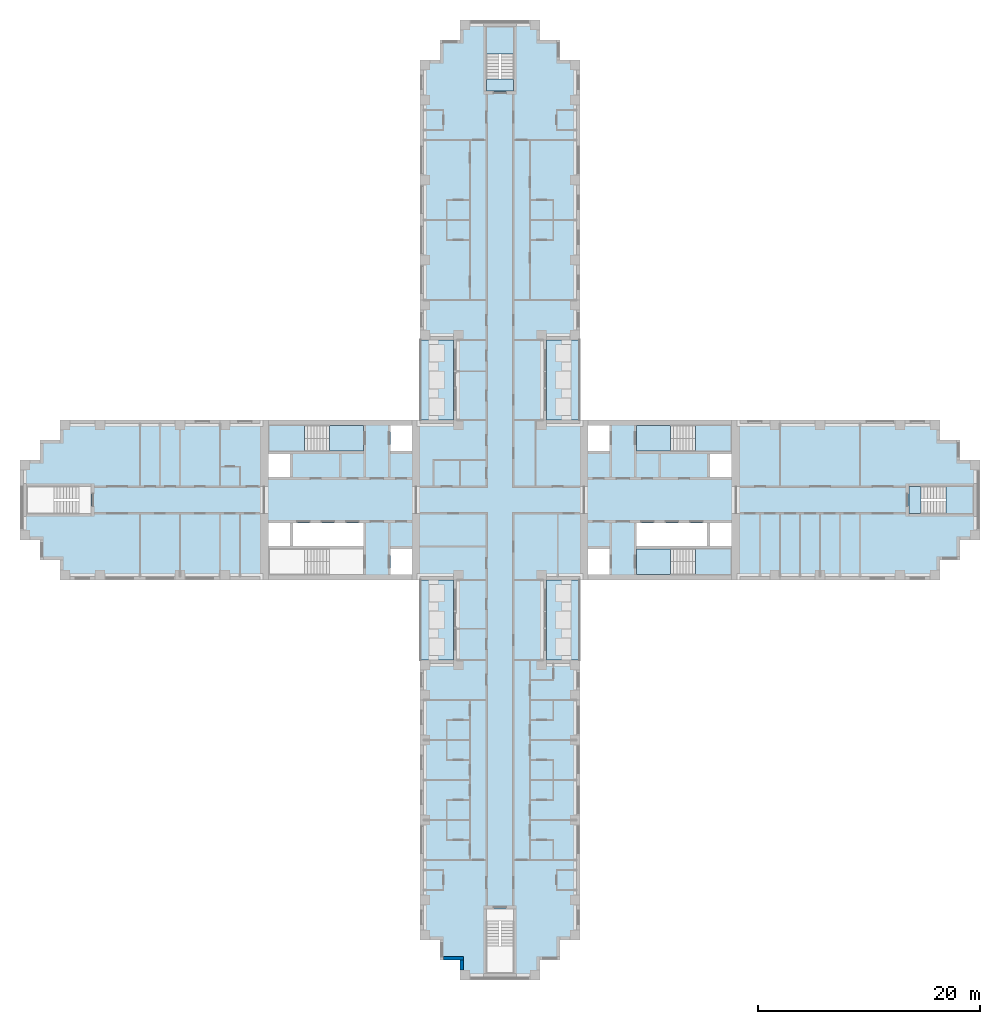
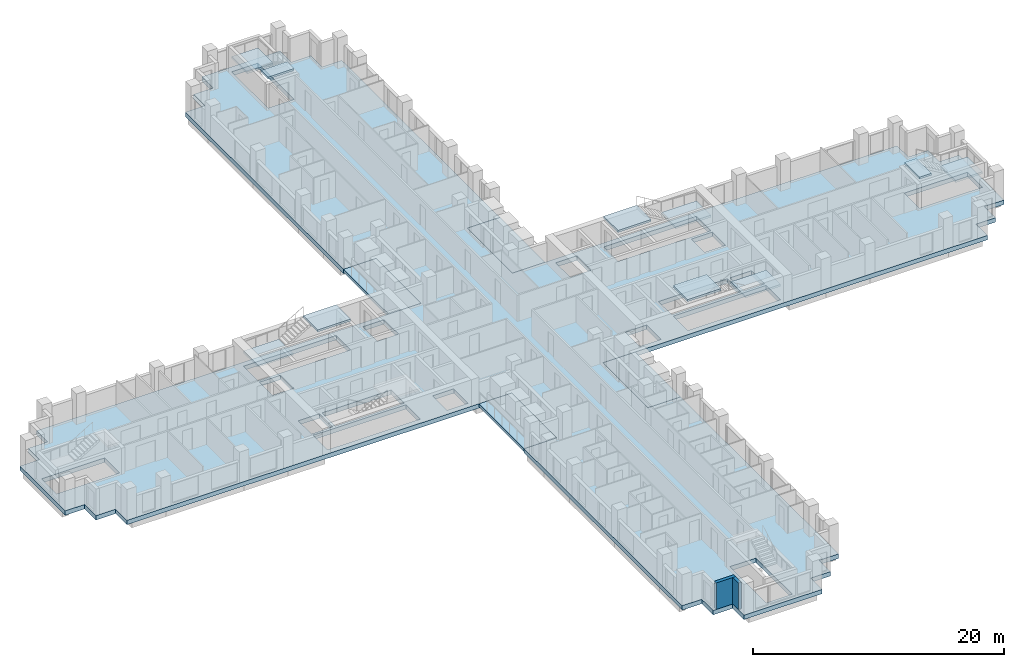
# One storey, part 2 of 16: 15 slabs, 2 walls, 5 elements without a shape of their own.
"""IFC4 building model written with IfcOpenShell, lengths in metres."""

from ifc_helpers import new_model, si_unit, direction, frame, frame_2d, origin, place, context, subcontext, project, spatial, polyline, rectangle, outline, extrude, material, layer, layer_set, type_object, element, aggregate, save


model = new_model("IFC4")

# Units and contexts
model_context = context("Model", 3, precision=1e-05, world=origin(), true_north=direction((0.0, 1.0)))
body_context = subcontext(model_context, "Body", "Model", "MODEL_VIEW")
ifc_project = project(units=[si_unit("LENGTHUNIT", "METRE"), si_unit("AREAUNIT", "SQUARE_METRE"), si_unit("VOLUMEUNIT", "CUBIC_METRE"), si_unit("PLANEANGLEUNIT", "RADIAN"), si_unit("MASSUNIT", "GRAM", prefix="KILO")], contexts=[model_context])

# Site, building, storey
site_placement = place(None, origin())
site = spatial("IfcSite", under=ifc_project, at=site_placement, CompositionType="ELEMENT")
building_placement = place(site_placement, origin())
building = spatial("IfcBuilding", under=site, at=building_placement, Name="Fustian Cross Tower", CompositionType="ELEMENT")
storey_placement = place(building_placement, frame((0.0, 0.0, 23.699951171875)))
storey = spatial("IfcBuildingStorey", under=building, at=storey_placement, Name="L06", CompositionType="ELEMENT", Elevation=23.699951171875)

# Slabs
ifc_material_1 = material(Name="Concrete C40/50", Category="concrete")
ifc_layer_1 = layer(ifc_material_1, 0.300048828125)
ifc_layer_set_1 = layer_set([ifc_layer_1], Name="Concrete C40/50")
slab_type_1 = type_object("IfcSlabType", Name="BS1 BALCONY SLAB 300", PredefinedType="FLOOR", material=ifc_layer_set_1)
slab_1_placement = place(storey_placement, frame((0.0, 0.0, -0.300048828125)))
element("IfcSlab", 1, at=slab_1_placement, inside=storey, type_object=slab_type_1, Name="Balcony slab", PredefinedType="FLOOR", context=body_context, shape_type="SweptSolid", body=[
    extrude(outline(polyline([(4.199951171875, 7.199951171875), (7.199951171875, 7.199951171875), (7.199951171875, 14.39990234375), (4.199951171875, 14.39990234375), (4.199951171875, 7.199951171875)])), origin(), (0.0, 0.0, 1.0), 0.300048828125),
])
slab_2_placement = place(storey_placement, frame((0.0, 0.0, -0.300048828125)))
element("IfcSlab", 2, at=slab_2_placement, inside=storey, type_object=slab_type_1, Name="Balcony slab", PredefinedType="FLOOR", context=body_context, shape_type="SweptSolid", body=[
    extrude(outline(polyline([(-7.199951171875, 7.199951171875), (-4.199951171875, 7.199951171875), (-4.199951171875, 14.39990234375), (-7.199951171875, 14.39990234375), (-7.199951171875, 7.199951171875)])), origin(), (0.0, 0.0, 1.0), 0.300048828125),
])
slab_3_placement = place(storey_placement, frame((0.0, 0.0, -0.300048828125)))
element("IfcSlab", 3, at=slab_3_placement, inside=storey, type_object=slab_type_1, Name="Balcony slab", PredefinedType="FLOOR", context=body_context, shape_type="SweptSolid", body=[
    extrude(outline(polyline([(4.199951171875, -14.39990234375), (7.199951171875, -14.39990234375), (7.199951171875, -7.199951171875), (4.199951171875, -7.199951171875), (4.199951171875, -14.39990234375)])), origin(), (0.0, 0.0, 1.0), 0.300048828125),
])
slab_4_placement = place(storey_placement, frame((0.0, 0.0, -0.300048828125)))
element("IfcSlab", 4, at=slab_4_placement, inside=storey, type_object=slab_type_1, Name="Balcony slab", PredefinedType="FLOOR", context=body_context, shape_type="SweptSolid", body=[
    extrude(outline(polyline([(-7.199951171875, -14.39990234375), (-4.199951171875, -14.39990234375), (-4.199951171875, -7.199951171875), (-7.199951171875, -7.199951171875), (-7.199951171875, -14.39990234375)])), origin(), (0.0, 0.0, 1.0), 0.300048828125),
])
ifc_material_2 = material(Name="Concrete C40/50", Category="concrete")
ifc_layer_2 = layer(ifc_material_2, 0.425048828125)
ifc_layer_set_2 = layer_set([ifc_layer_2], Name="Concrete C40/50")
slab_type_2 = type_object("IfcSlabType", Name="FLAT SLAB 425", PredefinedType="FLOOR", material=ifc_layer_set_2)
slab_5_placement = place(storey_placement, frame((0.0, 0.0, -0.425048828125)))
element("IfcSlab", 5, at=slab_5_placement, inside=storey, type_object=slab_type_2, Name="FLOOR SLAB L06-1", PredefinedType="FLOOR", context=body_context, shape_type="SweptSolid", body=[
    extrude(outline(polyline([(-4.199951171875, -7.199951171875), (-39.60009765625, -7.199951171875), (-39.60009765625, -5.39990234375), (-41.39990234375, -5.39990234375), (-41.39990234375, -3.60009765625), (-43.199951171875, -3.60009765625), (-43.199951171875, 3.60009765625), (-41.39990234375, 3.60009765625), (-41.39990234375, 5.39990234375), (-39.60009765625, 5.39990234375), (-39.60009765625, 7.199951171875), (-4.199951171875, 7.199951171875), (-4.199951171875, 14.39990234375), (-7.199951171875, 14.39990234375), (-7.199951171875, 39.60009765625), (-5.39990234375, 39.60009765625), (-5.39990234375, 41.39990234375), (-3.60009765625, 41.39990234375), (-3.60009765625, 43.199951171875), (3.60009765625, 43.199951171875), (3.60009765625, 41.39990234375), (5.39990234375, 41.39990234375), (5.39990234375, 39.60009765625), (7.199951171875, 39.60009765625), (7.199951171875, 14.39990234375), (4.199951171875, 14.39990234375), (4.199951171875, 7.199951171875), (39.60009765625, 7.199951171875), (39.60009765625, 5.39990234375), (41.39990234375, 5.39990234375), (41.39990234375, 3.60009765625), (43.199951171875, 3.60009765625), (43.199951171875, -3.60009765625), (41.39990234375, -3.60009765625), (41.39990234375, -5.39990234375), (39.60009765625, -5.39990234375), (39.60009765625, -7.199951171875), (4.199951171875, -7.199951171875), (4.199951171875, -14.39990234375), (7.199951171875, -14.39990234375), (7.199951171875, -39.60009765625), (5.39990234375, -39.60009765625), (5.39990234375, -41.39990234375), (3.60009765625, -41.39990234375), (3.60009765625, -43.199951171875), (-3.60009765625, -43.199951171875), (-3.60009765625, -41.39990234375), (-5.39990234375, -41.39990234375), (-5.39990234375, -39.60009765625), (-7.199951171875, -39.60009765625), (-7.199951171875, -14.39990234375), (-4.199951171875, -14.39990234375), (-4.199951171875, -7.199951171875)]), holes=[polyline([(18.89990234375, -2.050048828125), (18.89990234375, -4.14990234375), (20.85009765625, -4.14990234375), (20.85009765625, -2.050048828125), (18.89990234375, -2.050048828125)]), polyline([(20.85009765625, 4.14990234375), (18.89990234375, 4.14990234375), (18.89990234375, 2.050048828125), (20.85009765625, 2.050048828125), (20.85009765625, 4.14990234375)]), polyline([(9.85009765625, 4.39990234375), (9.85009765625, 6.699951171875), (7.89990234375, 6.699951171875), (7.89990234375, 4.39990234375), (9.85009765625, 4.39990234375)]), polyline([(7.89990234375, -6.699951171875), (9.85009765625, -6.699951171875), (9.85009765625, -4.39990234375), (7.89990234375, -4.39990234375), (7.89990234375, -6.699951171875)]), polyline([(-20.85009765625, -2.050048828125), (-20.85009765625, -4.14990234375), (-18.89990234375, -4.14990234375), (-18.89990234375, -2.050048828125), (-20.85009765625, -2.050048828125)]), polyline([(-18.89990234375, 4.14990234375), (-20.85009765625, 4.14990234375), (-20.85009765625, 2.050048828125), (-18.89990234375, 2.050048828125), (-18.89990234375, 4.14990234375)]), polyline([(-7.89990234375, 4.39990234375), (-7.89990234375, 6.699951171875), (-9.85009765625, 6.699951171875), (-9.85009765625, 4.39990234375), (-7.89990234375, 4.39990234375)]), polyline([(-9.85009765625, -6.699951171875), (-7.89990234375, -6.699951171875), (-7.89990234375, -4.39990234375), (-9.85009765625, -4.39990234375), (-9.85009765625, -6.699951171875)]), polyline([(12.300048828125, -2.050048828125), (12.300048828125, -4.14990234375), (18.64990234375, -4.14990234375), (18.64990234375, -2.050048828125), (12.300048828125, -2.050048828125)]), polyline([(-12.300048828125, -2.050048828125), (-18.64990234375, -2.050048828125), (-18.64990234375, -4.14990234375), (-12.300048828125, -4.14990234375), (-12.300048828125, -2.050048828125)]), polyline([(20.85009765625, 4.39990234375), (20.85009765625, 6.699951171875), (12.300048828125, 6.699951171875), (12.300048828125, 4.39990234375), (20.85009765625, 4.39990234375)]), polyline([(12.300048828125, -6.699951171875), (20.85009765625, -6.699951171875), (20.85009765625, -4.39990234375), (12.300048828125, -4.39990234375), (12.300048828125, -6.699951171875)]), polyline([(-20.85009765625, 6.699951171875), (-20.85009765625, 4.39990234375), (-12.300048828125, 4.39990234375), (-12.300048828125, 6.699951171875), (-20.85009765625, 6.699951171875)]), polyline([(-12.300048828125, -4.39990234375), (-20.85009765625, -4.39990234375), (-20.85009765625, -6.699951171875), (-12.300048828125, -6.699951171875), (-12.300048828125, -4.39990234375)]), polyline([(1.199951171875, 36.800048828125), (1.199951171875, 42.60009765625), (-1.199951171875, 42.60009765625), (-1.199951171875, 36.800048828125), (1.199951171875, 36.800048828125)]), polyline([(-1.199951171875, -42.60009765625), (1.199951171875, -42.60009765625), (1.199951171875, -36.800048828125), (-1.199951171875, -36.800048828125), (-1.199951171875, -42.60009765625)]), polyline([(36.800048828125, 1.199951171875), (36.800048828125, -1.199951171875), (42.60009765625, -1.199951171875), (42.60009765625, 1.199951171875), (36.800048828125, 1.199951171875)]), polyline([(-36.800048828125, 1.199951171875), (-42.60009765625, 1.199951171875), (-42.60009765625, -1.199951171875), (-36.800048828125, -1.199951171875), (-36.800048828125, 1.199951171875)])]), origin(), (0.0, 0.0, 1.0), 0.425048828125),
])

# Stair, slabs
ifc_material_3 = material(Name="Concrete C50/60", Category="concrete")
stair_type_1 = type_object("IfcStairType", Name="STAIR 1150 HALF TURN", PredefinedType="HALF_TURN_STAIR", material=ifc_material_3)
stair_1_placement = place(storey_placement, origin())
stair_1 = element("IfcStair", 6, at=stair_1_placement, inside=storey, type_object=stair_type_1, Name="Stair ST1", PredefinedType="HALF_TURN_STAIR")
ifc_material_4 = material(Name="Concrete C50/60", Category="concrete")
ifc_layer_3 = layer(ifc_material_4, 0.199951171875)
ifc_layer_set_3 = layer_set([ifc_layer_3], Name="Concrete C50/60")
slab_type_3 = type_object("IfcSlabType", Name="STAIR LANDING", PredefinedType="LANDING", material=ifc_layer_set_3)
slab_6_placement = place(storey_placement, frame((0.0, 0.0, 1.300048828125)))
slab_6 = element("IfcSlab", 7, at=slab_6_placement, type_object=slab_type_3, Name="ST1 landing 1", PredefinedType="LANDING", context=body_context, shape_type="SweptSolid", body=[
    extrude(outline(polyline([(17.590087890625, 4.39990234375), (20.85009765625, 4.39990234375), (20.85009765625, 6.699951171875), (17.590087890625, 6.699951171875), (17.590087890625, 4.39990234375)])), origin(), (0.0, 0.0, 1.0), 0.199951171875),
])
slab_7_placement = place(storey_placement, frame((0.0, 0.0, 2.800048828125)))
slab_7 = element("IfcSlab", 8, at=slab_7_placement, type_object=slab_type_3, Name="ST1 landing 2", PredefinedType="LANDING", context=body_context, shape_type="SweptSolid", body=[
    extrude(outline(polyline([(12.300048828125, 4.39990234375), (15.35009765625, 4.39990234375), (15.35009765625, 6.699951171875), (12.300048828125, 6.699951171875), (12.300048828125, 4.39990234375)])), origin(), (0.0, 0.0, 1.0), 0.199951171875),
])
aggregate(stair_1, [slab_6, slab_7])

stair_2_placement = place(storey_placement, origin())
stair_2 = element("IfcStair", 9, at=stair_2_placement, inside=storey, type_object=stair_type_1, Name="Stair ST2", PredefinedType="HALF_TURN_STAIR")
slab_8_placement = place(storey_placement, frame((0.0, 0.0, 1.300048828125)))
slab_8 = element("IfcSlab", 10, at=slab_8_placement, type_object=slab_type_3, Name="ST2 landing 1", PredefinedType="LANDING", context=body_context, shape_type="SweptSolid", body=[
    extrude(outline(polyline([(17.590087890625, -4.39990234375), (20.85009765625, -4.39990234375), (20.85009765625, -6.699951171875), (17.590087890625, -6.699951171875), (17.590087890625, -4.39990234375)])), origin(), (0.0, 0.0, 1.0), 0.199951171875),
])
slab_9_placement = place(storey_placement, frame((0.0, 0.0, 2.800048828125)))
slab_9 = element("IfcSlab", 11, at=slab_9_placement, type_object=slab_type_3, Name="ST2 landing 2", PredefinedType="LANDING", context=body_context, shape_type="SweptSolid", body=[
    extrude(outline(polyline([(12.300048828125, -4.39990234375), (15.35009765625, -4.39990234375), (15.35009765625, -6.699951171875), (12.300048828125, -6.699951171875), (12.300048828125, -4.39990234375)])), origin(), (0.0, 0.0, 1.0), 0.199951171875),
])
aggregate(stair_2, [slab_8, slab_9])

stair_3_placement = place(storey_placement, origin())
stair_3 = element("IfcStair", 12, at=stair_3_placement, inside=storey, type_object=stair_type_1, Name="Stair ST3", PredefinedType="HALF_TURN_STAIR")
slab_10_placement = place(storey_placement, frame((0.0, 0.0, 1.300048828125)))
slab_10 = element("IfcSlab", 13, at=slab_10_placement, type_object=slab_type_3, Name="ST3 landing 1", PredefinedType="LANDING", context=body_context, shape_type="SweptSolid", body=[
    extrude(outline(polyline([(-17.590087890625, 4.39990234375), (-20.85009765625, 4.39990234375), (-20.85009765625, 6.699951171875), (-17.590087890625, 6.699951171875), (-17.590087890625, 4.39990234375)])), origin(), (0.0, 0.0, 1.0), 0.199951171875),
])
slab_11_placement = place(storey_placement, frame((0.0, 0.0, 2.800048828125)))
slab_11 = element("IfcSlab", 14, at=slab_11_placement, type_object=slab_type_3, Name="ST3 landing 2", PredefinedType="LANDING", context=body_context, shape_type="SweptSolid", body=[
    extrude(outline(polyline([(-12.300048828125, 4.39990234375), (-15.35009765625, 4.39990234375), (-15.35009765625, 6.699951171875), (-12.300048828125, 6.699951171875), (-12.300048828125, 4.39990234375)])), origin(), (0.0, 0.0, 1.0), 0.199951171875),
])
aggregate(stair_3, [slab_10, slab_11])

ifc_material_5 = material(Name="Concrete C50/60", Category="concrete")
stair_type_2 = type_object("IfcStairType", Name="STAIR 1100 HALF TURN", PredefinedType="HALF_TURN_STAIR", material=ifc_material_5)
stair_4_placement = place(storey_placement, origin())
stair_4 = element("IfcStair", 15, at=stair_4_placement, inside=storey, type_object=stair_type_2, Name="Stair ST5", PredefinedType="HALF_TURN_STAIR")
slab_12_placement = place(storey_placement, frame((0.0, 0.0, 1.300048828125)))
slab_12 = element("IfcSlab", 16, at=slab_12_placement, type_object=slab_type_3, Name="ST5 landing 1", PredefinedType="LANDING", context=body_context, shape_type="SweptSolid", body=[
    extrude(outline(polyline([(-1.199951171875, 40.139892578125), (-1.199951171875, 42.60009765625), (1.199951171875, 42.60009765625), (1.199951171875, 40.139892578125), (-1.199951171875, 40.139892578125)])), origin(), (0.0, 0.0, 1.0), 0.199951171875),
])
slab_13_placement = place(storey_placement, frame((0.0, 0.0, 2.800048828125)))
slab_13 = element("IfcSlab", 17, at=slab_13_placement, type_object=slab_type_3, Name="ST5 landing 2", PredefinedType="LANDING", context=body_context, shape_type="SweptSolid", body=[
    extrude(outline(polyline([(-1.199951171875, 36.800048828125), (-1.199951171875, 37.89990234375), (1.199951171875, 37.89990234375), (1.199951171875, 36.800048828125), (-1.199951171875, 36.800048828125)])), origin(), (0.0, 0.0, 1.0), 0.199951171875),
])
aggregate(stair_4, [slab_12, slab_13])

stair_5_placement = place(storey_placement, origin())
stair_5 = element("IfcStair", 18, at=stair_5_placement, inside=storey, type_object=stair_type_2, Name="Stair ST8", PredefinedType="HALF_TURN_STAIR")
slab_14_placement = place(storey_placement, frame((0.0, 0.0, 1.300048828125)))
slab_14 = element("IfcSlab", 19, at=slab_14_placement, type_object=slab_type_3, Name="ST8 landing 1", PredefinedType="LANDING", context=body_context, shape_type="SweptSolid", body=[
    extrude(outline(polyline([(40.139892578125, -1.199951171875), (42.60009765625, -1.199951171875), (42.60009765625, 1.199951171875), (40.139892578125, 1.199951171875), (40.139892578125, -1.199951171875)])), origin(), (0.0, 0.0, 1.0), 0.199951171875),
])
slab_15_placement = place(storey_placement, frame((0.0, 0.0, 2.800048828125)))
slab_15 = element("IfcSlab", 20, at=slab_15_placement, type_object=slab_type_3, Name="ST8 landing 2", PredefinedType="LANDING", context=body_context, shape_type="SweptSolid", body=[
    extrude(outline(polyline([(36.800048828125, -1.199951171875), (37.89990234375, -1.199951171875), (37.89990234375, 1.199951171875), (36.800048828125, 1.199951171875), (36.800048828125, -1.199951171875)])), origin(), (0.0, 0.0, 1.0), 0.199951171875),
])
aggregate(stair_5, [slab_14, slab_15])

# Walls
ifc_material_6 = material(Name="Dark aluminium cladding on insulated backing wall", Category="aluminium")
ifc_layer_4 = layer(ifc_material_6, 0.300048828125)
ifc_layer_set_4 = layer_set([ifc_layer_4], Name="Dark aluminium cladding on insulated backing wall")
wall_type = type_object("IfcWallType", Name="XW1 EXTERNAL WALL 300", PredefinedType="SOLIDWALL", material=ifc_layer_set_4)
wall_1_placement = place(storey_placement, frame((-5.10009765625, -41.25, 0.0), z_axis=(0.0, 0.0, 1.0), x_axis=(1.0, 0.0, 0.0)))
element("IfcWall", 21, at=wall_1_placement, inside=storey, type_object=wall_type, Name="External wall", PredefinedType="SOLIDWALL", context=body_context, shape_type="SweptSolid", body=[
    extrude(rectangle(XDim=1.800048828125, YDim=0.300048828125, at=frame_2d((0.89990234375, 0.0))), origin(), (0.0, 0.0, 1.0), 2.574951171875),
])
wall_2_placement = place(storey_placement, frame((-3.449951171875, -41.39990234375, 0.0), z_axis=(0.0, 0.0, 1.0), x_axis=(0.0, -1.0, 0.0)))
element("IfcWall", 22, at=wall_2_placement, inside=storey, type_object=wall_type, Name="External wall", PredefinedType="SOLIDWALL", context=body_context, shape_type="SweptSolid", body=[
    extrude(rectangle(XDim=0.900146484375, YDim=0.300048828125, at=frame_2d((0.4501953125, 0.0))), origin(), (0.0, 0.0, 1.0), 2.574951171875),
])

save(model, "model.ifc")
